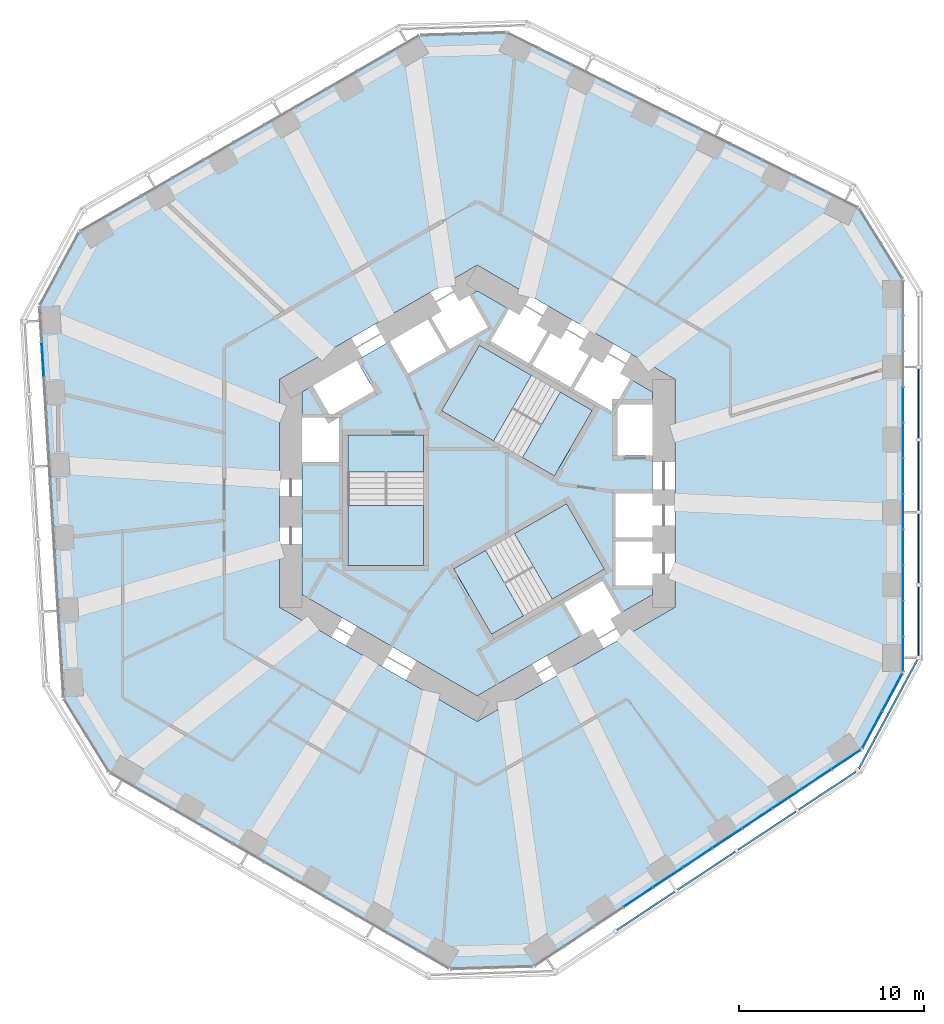
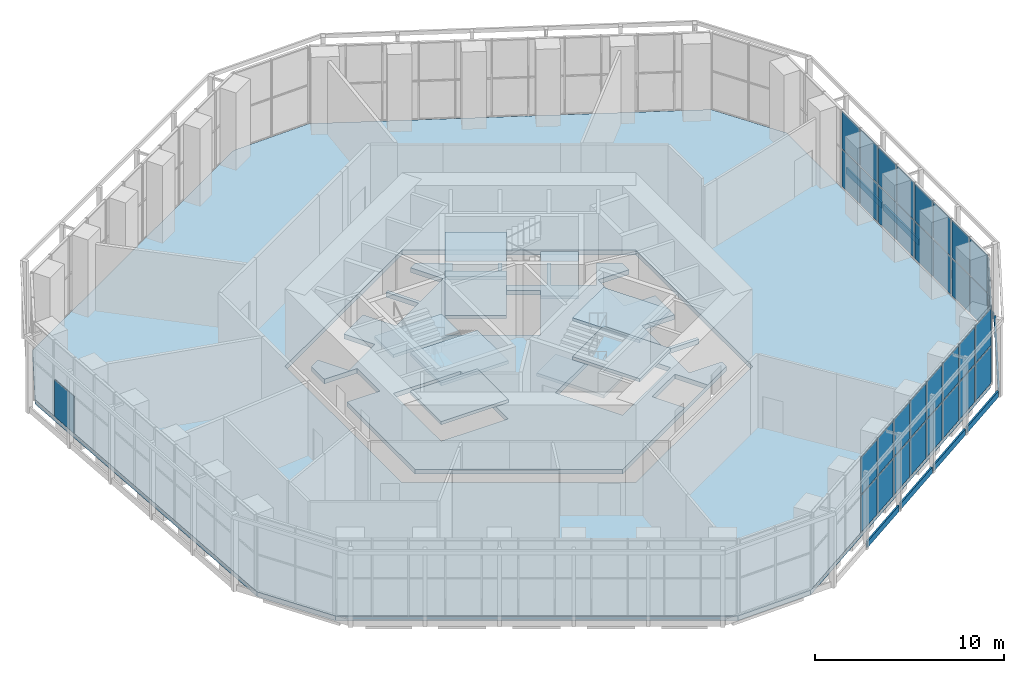
# One storey, part 11 of 19: 46 plates, 11 slabs, 10 elements without a shape of their own.
"""IFC4 building model written with IfcOpenShell, lengths in metres."""

from ifc_helpers import new_model, si_unit, direction, frame, origin, origin_2d, place, context, subcontext, project, spatial, polyline, rectangle, outline, extrude, material, layer, layer_set, type_object, element, aggregate, save


model = new_model("IFC4")

# Units and contexts
model_context = context("Model", 3, precision=1e-05, world=origin(), true_north=direction((0.0, 1.0)))
body_context = subcontext(model_context, "Body", "Model", "MODEL_VIEW")
ifc_project = project(units=[si_unit("LENGTHUNIT", "METRE"), si_unit("AREAUNIT", "SQUARE_METRE"), si_unit("VOLUMEUNIT", "CUBIC_METRE"), si_unit("PLANEANGLEUNIT", "RADIAN"), si_unit("MASSUNIT", "GRAM", prefix="KILO")], contexts=[model_context])

# Site, building, storey
site_placement = place(None, origin())
site = spatial("IfcSite", under=ifc_project, at=site_placement, CompositionType="ELEMENT")
building_placement = place(site_placement, origin())
building = spatial("IfcBuilding", under=site, at=building_placement, Name="Vanh Sen Convention Tower", CompositionType="ELEMENT")
storey_placement = place(building_placement, frame((0.0, 0.0, 39.0)))
storey = spatial("IfcBuildingStorey", under=building, at=storey_placement, Name="L06", CompositionType="ELEMENT", Elevation=39.0)

# Slabs
ifc_material_1 = material(Name="Concrete C40/50", Category="concrete")
ifc_layer_1 = layer(ifc_material_1, 0.300048828125)
ifc_layer_set_1 = layer_set([ifc_layer_1], Name="Concrete C40/50")
slab_type_1 = type_object("IfcSlabType", Name="Core slab 300", PredefinedType="FLOOR", material=ifc_layer_set_1)
slab_1_placement = place(storey_placement, frame((0.0, 0.0, -0.300048828125)))
element("IfcSlab", 1, at=slab_1_placement, inside=storey, type_object=slab_type_1, Name="Core slab L06", PredefinedType="FLOOR", context=body_context, shape_type="SweptSolid", body=[
    extrude(outline(polyline([(9.5, 5.48486328125), (9.5, 4.800048828125), (7.60009765625, 4.800048828125), (7.60009765625, 2.050048828125), (9.5, 2.050048828125), (9.5, 0.0), (7.5, 0.0), (7.5, -2.39990234375), (9.5, -2.39990234375), (9.5, -2.60009765625), (7.5, -2.60009765625), (7.5, -5.0), (9.5, -5.0), (9.5, -5.48486328125), (0.0, -10.9697265625), (-9.5, -5.48486328125), (-9.5, 1.699951171875), (-7.5, 1.699951171875), (-7.5, 4.10009765625), (-9.5, 4.10009765625), (-9.5, 5.48486328125), (-8.906982421875, 5.8271484375), (-7.956787109375, 4.181884765625), (-5.575439453125, 5.556884765625), (-6.525390625, 7.2021484375), (-4.75, 8.227294921875), (-3.75, 6.4951171875), (-1.67138671875, 7.6953125), (-2.67138671875, 9.42724609375), (-2.498291015625, 9.527099609375), (-1.498291015625, 7.795166015625), (0.580078125, 8.9951171875), (-0.419921875, 10.727294921875), (0.0, 10.9697265625), (1.718994140625, 9.977294921875), (0.718994140625, 8.2451171875), (2.79736328125, 7.045166015625), (3.79736328125, 8.777099609375), (3.970703125, 8.67724609375), (2.970703125, 6.9453125), (5.049072265625, 5.7451171875), (6.049072265625, 7.477294921875), (6.22216796875, 7.377197265625), (5.22216796875, 5.645263671875), (7.30078125, 4.4453125), (8.30078125, 6.17724609375), (9.5, 5.48486328125)]), holes=[polyline([(-7.0, 3.14990234375), (-7.0, -3.909912109375), (-2.89990234375, -3.909912109375), (-2.89990234375, 3.14990234375), (-2.89990234375, 1.1494140625), (-7.0, 1.1494140625), (-7.0, 3.14990234375)]), polyline([(4.495361328125, 5.487548828125), (6.22802734375, 4.4873046875), (0.11376953125, 8.01708984375), (-1.936279296875, 4.466552734375), (2.4453125, 1.936767578125), (4.495361328125, 5.487548828125)]), polyline([(7.781005859375, -6.477294921875), (6.781005859375, -4.7451171875), (4.70263671875, -5.9453125), (5.70263671875, -7.67724609375), (7.781005859375, -6.477294921875)]), polyline([(0.45458984375, -3.086181640625), (2.504638671875, -6.63671875), (6.88623046875, -4.107177734375), (4.836181640625, -0.556396484375), (-1.278076171875, -4.08642578125), (0.45458984375, -3.086181640625)])]), origin(), (0.0, 0.0, 1.0), 0.300048828125),
])
ifc_layer_2 = layer(ifc_material_1, 0.300048828125)
ifc_layer_set_2 = layer_set([ifc_layer_2], Name="Concrete C40/50")
slab_type_2 = type_object("IfcSlabType", Name="Floor slab 300 REI 120", PredefinedType="FLOOR", material=ifc_layer_set_2)
slab_2_placement = place(storey_placement, frame((0.0, 0.0, -0.300048828125)))
element("IfcSlab", 2, at=slab_2_placement, inside=storey, type_object=slab_type_2, Name="Floor slab L06 tower", PredefinedType="FLOOR", context=body_context, shape_type="SweptSolid", body=[
    extrude(outline(polyline([(23.0, -9.69921875), (23.0, 11.57373046875), (20.620361328125, 15.419189453125), (1.58251953125, 24.911376953125), (-3.10009765625, 24.768310546875), (-21.523193359375, 14.131591796875), (-23.663818359375, 10.14794921875), (-22.364990234375, -11.085205078125), (-19.89990234375, -15.069091796875), (-1.476806640625, -25.705322265625), (3.04345703125, -25.5673828125), (20.78271484375, -13.825927734375), (23.0, -9.69921875)]), holes=[polyline([(0.0, 12.355224609375), (-10.699951171875, 6.177490234375), (-10.699951171875, -6.177490234375), (0.0, -12.355224609375), (10.699951171875, -6.177490234375), (10.699951171875, 6.177490234375), (0.0, 12.355224609375)])]), origin(), (0.0, 0.0, 1.0), 0.300048828125),
])

# Curtain wall, plates
ifc_material_2 = material(Name="Aluminium structural glazing system", Category="aluminium")
curtain_wall_type_1 = type_object("IfcCurtainWallType", Name="Hotel lobby structural glazing", PredefinedType="NOTDEFINED", material=ifc_material_2)
curtain_wall_1_placement = place(storey_placement, origin())
curtain_wall_1 = element("IfcCurtainWall", 3, at=curtain_wall_1_placement, inside=storey, type_object=curtain_wall_type_1, Name="Hotel lobby glazing E L06", PredefinedType="NOTDEFINED")
ifc_material_3 = material(Name="Clear toughened safety glass", Category="glass")
ifc_layer_3 = layer(ifc_material_3, 0.035888671875)
ifc_layer_set_3 = layer_set([ifc_layer_3], Name="Clear toughened safety glass")
plate_type_1 = type_object("IfcPlateType", Name="Lobby glazing clear glass panel 36", PredefinedType="CURTAIN_PANEL", material=ifc_layer_set_3)
plate_1_placement = place(storey_placement, frame((23.050048828125, -8.703369140625, 0.070068359375), z_axis=(0.0, 0.0, 1.0), x_axis=(0.0, 1.0, 0.0)))
plate_1 = element("IfcPlate", 4, at=plate_1_placement, type_object=plate_type_1, Name="CW2 panel 1.1", PredefinedType="CURTAIN_PANEL", context=body_context, shape_type="SweptSolid", body=[
    extrude(rectangle(XDim=1.826416015625, YDim=0.035888671875, at=origin_2d()), origin(), (0.0, 0.0, 1.0), 2.39501953125),
])
plate_2_placement = place(storey_placement, frame((23.050048828125, -8.703369140625, 2.534912109375), z_axis=(0.0, 0.0, 1.0), x_axis=(0.0, 1.0, 0.0)))
plate_2 = element("IfcPlate", 5, at=plate_2_placement, type_object=plate_type_1, Name="CW2 panel 1.2", PredefinedType="CURTAIN_PANEL", context=body_context, shape_type="SweptSolid", body=[
    extrude(rectangle(XDim=1.826416015625, YDim=0.035888671875, at=origin_2d()), origin(), (0.0, 0.0, 1.0), 2.39501953125),
])
plate_3_placement = place(storey_placement, frame((23.050048828125, -6.789306640625, 0.070068359375), z_axis=(0.0, 0.0, 1.0), x_axis=(0.0, 1.0, 0.0)))
plate_3 = element("IfcPlate", 6, at=plate_3_placement, type_object=plate_type_1, Name="CW2 panel 2.1", PredefinedType="CURTAIN_PANEL", context=body_context, shape_type="SweptSolid", body=[
    extrude(rectangle(XDim=1.861572265625, YDim=0.035888671875, at=origin_2d()), origin(), (0.0, 0.0, 1.0), 2.39501953125),
])
plate_4_placement = place(storey_placement, frame((23.050048828125, -6.789306640625, 2.534912109375), z_axis=(0.0, 0.0, 1.0), x_axis=(0.0, 1.0, 0.0)))
plate_4 = element("IfcPlate", 7, at=plate_4_placement, type_object=plate_type_1, Name="CW2 panel 2.2", PredefinedType="CURTAIN_PANEL", context=body_context, shape_type="SweptSolid", body=[
    extrude(rectangle(XDim=1.861572265625, YDim=0.035888671875, at=origin_2d()), origin(), (0.0, 0.0, 1.0), 2.39501953125),
])
plate_5_placement = place(storey_placement, frame((23.050048828125, -4.85791015625, 0.070068359375), z_axis=(0.0, 0.0, 1.0), x_axis=(0.0, 1.0, 0.0)))
plate_5 = element("IfcPlate", 8, at=plate_5_placement, type_object=plate_type_1, Name="CW2 panel 3.1", PredefinedType="CURTAIN_PANEL", context=body_context, shape_type="SweptSolid", body=[
    extrude(rectangle(XDim=1.861572265625, YDim=0.035888671875, at=origin_2d()), origin(), (0.0, 0.0, 1.0), 2.39501953125),
])
plate_6_placement = place(storey_placement, frame((23.050048828125, -4.85791015625, 2.534912109375), z_axis=(0.0, 0.0, 1.0), x_axis=(0.0, 1.0, 0.0)))
plate_6 = element("IfcPlate", 9, at=plate_6_placement, type_object=plate_type_1, Name="CW2 panel 3.2", PredefinedType="CURTAIN_PANEL", context=body_context, shape_type="SweptSolid", body=[
    extrude(rectangle(XDim=1.861572265625, YDim=0.035888671875, at=origin_2d()), origin(), (0.0, 0.0, 1.0), 2.39501953125),
])
plate_7_placement = place(storey_placement, frame((23.050048828125, -2.926513671875, 0.070068359375), z_axis=(0.0, 0.0, 1.0), x_axis=(0.0, 1.0, 0.0)))
plate_7 = element("IfcPlate", 10, at=plate_7_placement, type_object=plate_type_1, Name="CW2 panel 4.1", PredefinedType="CURTAIN_PANEL", context=body_context, shape_type="SweptSolid", body=[
    extrude(rectangle(XDim=1.861572265625, YDim=0.035888671875, at=origin_2d()), origin(), (0.0, 0.0, 1.0), 2.39501953125),
])
plate_8_placement = place(storey_placement, frame((23.050048828125, -2.926513671875, 2.534912109375), z_axis=(0.0, 0.0, 1.0), x_axis=(0.0, 1.0, 0.0)))
plate_8 = element("IfcPlate", 11, at=plate_8_placement, type_object=plate_type_1, Name="CW2 panel 4.2", PredefinedType="CURTAIN_PANEL", context=body_context, shape_type="SweptSolid", body=[
    extrude(rectangle(XDim=1.861572265625, YDim=0.035888671875, at=origin_2d()), origin(), (0.0, 0.0, 1.0), 2.39501953125),
])
plate_9_placement = place(storey_placement, frame((23.050048828125, -0.9951171875, 0.070068359375), z_axis=(0.0, 0.0, 1.0), x_axis=(0.0, 1.0, 0.0)))
plate_9 = element("IfcPlate", 12, at=plate_9_placement, type_object=plate_type_1, Name="CW2 panel 5.1", PredefinedType="CURTAIN_PANEL", context=body_context, shape_type="SweptSolid", body=[
    extrude(rectangle(XDim=1.861572265625, YDim=0.035888671875, at=origin_2d()), origin(), (0.0, 0.0, 1.0), 2.39501953125),
])
plate_10_placement = place(storey_placement, frame((23.050048828125, -0.9951171875, 2.534912109375), z_axis=(0.0, 0.0, 1.0), x_axis=(0.0, 1.0, 0.0)))
plate_10 = element("IfcPlate", 13, at=plate_10_placement, type_object=plate_type_1, Name="CW2 panel 5.2", PredefinedType="CURTAIN_PANEL", context=body_context, shape_type="SweptSolid", body=[
    extrude(rectangle(XDim=1.861572265625, YDim=0.035888671875, at=origin_2d()), origin(), (0.0, 0.0, 1.0), 2.39501953125),
])
plate_11_placement = place(storey_placement, frame((23.050048828125, 0.9365234375, 0.070068359375), z_axis=(0.0, 0.0, 1.0), x_axis=(0.0, 1.0, 0.0)))
plate_11 = element("IfcPlate", 14, at=plate_11_placement, type_object=plate_type_1, Name="CW2 panel 6.1", PredefinedType="CURTAIN_PANEL", context=body_context, shape_type="SweptSolid", body=[
    extrude(rectangle(XDim=1.861572265625, YDim=0.035888671875, at=origin_2d()), origin(), (0.0, 0.0, 1.0), 2.39501953125),
])
plate_12_placement = place(storey_placement, frame((23.050048828125, 0.9365234375, 2.534912109375), z_axis=(0.0, 0.0, 1.0), x_axis=(0.0, 1.0, 0.0)))
plate_12 = element("IfcPlate", 15, at=plate_12_placement, type_object=plate_type_1, Name="CW2 panel 6.2", PredefinedType="CURTAIN_PANEL", context=body_context, shape_type="SweptSolid", body=[
    extrude(rectangle(XDim=1.861572265625, YDim=0.035888671875, at=origin_2d()), origin(), (0.0, 0.0, 1.0), 2.39501953125),
])
plate_13_placement = place(storey_placement, frame((23.050048828125, 2.867919921875, 0.070068359375), z_axis=(0.0, 0.0, 1.0), x_axis=(0.0, 1.0, 0.0)))
plate_13 = element("IfcPlate", 16, at=plate_13_placement, type_object=plate_type_1, Name="CW2 panel 7.1", PredefinedType="CURTAIN_PANEL", context=body_context, shape_type="SweptSolid", body=[
    extrude(rectangle(XDim=1.861572265625, YDim=0.035888671875, at=origin_2d()), origin(), (0.0, 0.0, 1.0), 2.39501953125),
])
plate_14_placement = place(storey_placement, frame((23.050048828125, 2.867919921875, 2.534912109375), z_axis=(0.0, 0.0, 1.0), x_axis=(0.0, 1.0, 0.0)))
plate_14 = element("IfcPlate", 17, at=plate_14_placement, type_object=plate_type_1, Name="CW2 panel 7.2", PredefinedType="CURTAIN_PANEL", context=body_context, shape_type="SweptSolid", body=[
    extrude(rectangle(XDim=1.861572265625, YDim=0.035888671875, at=origin_2d()), origin(), (0.0, 0.0, 1.0), 2.39501953125),
])
plate_15_placement = place(storey_placement, frame((23.050048828125, 4.79931640625, 0.070068359375), z_axis=(0.0, 0.0, 1.0), x_axis=(0.0, 1.0, 0.0)))
plate_15 = element("IfcPlate", 18, at=plate_15_placement, type_object=plate_type_1, Name="CW2 panel 8.1", PredefinedType="CURTAIN_PANEL", context=body_context, shape_type="SweptSolid", body=[
    extrude(rectangle(XDim=1.861572265625, YDim=0.035888671875, at=origin_2d()), origin(), (0.0, 0.0, 1.0), 2.39501953125),
])
plate_16_placement = place(storey_placement, frame((23.050048828125, 4.79931640625, 2.534912109375), z_axis=(0.0, 0.0, 1.0), x_axis=(0.0, 1.0, 0.0)))
plate_16 = element("IfcPlate", 19, at=plate_16_placement, type_object=plate_type_1, Name="CW2 panel 8.2", PredefinedType="CURTAIN_PANEL", context=body_context, shape_type="SweptSolid", body=[
    extrude(rectangle(XDim=1.861572265625, YDim=0.035888671875, at=origin_2d()), origin(), (0.0, 0.0, 1.0), 2.39501953125),
])
aggregate(curtain_wall_1, [plate_1, plate_2, plate_3, plate_4, plate_5, plate_6, plate_7, plate_8, plate_9, plate_10, plate_11, plate_12, plate_13, plate_14, plate_15, plate_16])

# Curtain wall, plate
curtain_wall_2_placement = place(storey_placement, origin())
curtain_wall_2 = element("IfcCurtainWall", 20, at=curtain_wall_2_placement, inside=storey, type_object=curtain_wall_type_1, Name="Hotel lobby glazing W L06", PredefinedType="NOTDEFINED")
plate_17_placement = place(storey_placement, frame((-23.535888671875, 7.239013671875, 0.070068359375), z_axis=(0.0, 0.0, 1.0), x_axis=(0.06104613772, -0.99813494532, 0.0)))
plate_17 = element("IfcPlate", 21, at=plate_17_placement, type_object=plate_type_1, Name="CW2 panel 2.1", PredefinedType="CURTAIN_PANEL", context=body_context, shape_type="SweptSolid", body=[
    extrude(rectangle(XDim=1.861572265625, YDim=0.035888671875, at=origin_2d()), origin(), (0.0, 0.0, 1.0), 2.39501953125),
])
aggregate(curtain_wall_2, [plate_17])

# Curtain wall, plates
curtain_wall_3_placement = place(storey_placement, origin())
curtain_wall_3 = element("IfcCurtainWall", 22, at=curtain_wall_3_placement, inside=storey, type_object=curtain_wall_type_1, Name="Hotel lobby glazing SE L06", PredefinedType="NOTDEFINED")
plate_18_placement = place(storey_placement, frame((8.719970703125, -21.869873046875, 0.070068359375), z_axis=(0.0, 0.0, 1.0), x_axis=(0.833885694486, 0.551937178066, 0.0)))
plate_18 = element("IfcPlate", 23, at=plate_18_placement, type_object=plate_type_1, Name="CW2 panel 4.1", PredefinedType="CURTAIN_PANEL", context=body_context, shape_type="SweptSolid", body=[
    extrude(rectangle(XDim=1.861572265625, YDim=0.035888671875, at=origin_2d()), origin(), (0.0, 0.0, 1.0), 2.39501953125),
])
plate_19_placement = place(storey_placement, frame((8.719970703125, -21.869873046875, 2.534912109375), z_axis=(0.0, 0.0, 1.0), x_axis=(0.833885694486, 0.551937178066, 0.0)))
plate_19 = element("IfcPlate", 24, at=plate_19_placement, type_object=plate_type_1, Name="CW2 panel 4.2", PredefinedType="CURTAIN_PANEL", context=body_context, shape_type="SweptSolid", body=[
    extrude(rectangle(XDim=1.861572265625, YDim=0.035888671875, at=origin_2d()), origin(), (0.0, 0.0, 1.0), 2.39501953125),
])
plate_20_placement = place(storey_placement, frame((10.33056640625, -20.803955078125, 0.070068359375), z_axis=(0.0, 0.0, 1.0), x_axis=(0.833885694486, 0.551937178066, 0.0)))
plate_20 = element("IfcPlate", 25, at=plate_20_placement, type_object=plate_type_1, Name="CW2 panel 5.1", PredefinedType="CURTAIN_PANEL", context=body_context, shape_type="SweptSolid", body=[
    extrude(rectangle(XDim=1.861572265625, YDim=0.035888671875, at=origin_2d()), origin(), (0.0, 0.0, 1.0), 2.39501953125),
])
plate_21_placement = place(storey_placement, frame((10.33056640625, -20.803955078125, 2.534912109375), z_axis=(0.0, 0.0, 1.0), x_axis=(0.833885694486, 0.551937178066, 0.0)))
plate_21 = element("IfcPlate", 26, at=plate_21_placement, type_object=plate_type_1, Name="CW2 panel 5.2", PredefinedType="CURTAIN_PANEL", context=body_context, shape_type="SweptSolid", body=[
    extrude(rectangle(XDim=1.861572265625, YDim=0.035888671875, at=origin_2d()), origin(), (0.0, 0.0, 1.0), 2.39501953125),
])
plate_22_placement = place(storey_placement, frame((11.94140625, -19.73779296875, 0.070068359375), z_axis=(0.0, 0.0, 1.0), x_axis=(0.833885694486, 0.551937178066, 0.0)))
plate_22 = element("IfcPlate", 27, at=plate_22_placement, type_object=plate_type_1, Name="CW2 panel 6.1", PredefinedType="CURTAIN_PANEL", context=body_context, shape_type="SweptSolid", body=[
    extrude(rectangle(XDim=1.861572265625, YDim=0.035888671875, at=origin_2d()), origin(), (0.0, 0.0, 1.0), 2.39501953125),
])
plate_23_placement = place(storey_placement, frame((11.94140625, -19.73779296875, 2.534912109375), z_axis=(0.0, 0.0, 1.0), x_axis=(0.833885694486, 0.551937178066, 0.0)))
plate_23 = element("IfcPlate", 28, at=plate_23_placement, type_object=plate_type_1, Name="CW2 panel 6.2", PredefinedType="CURTAIN_PANEL", context=body_context, shape_type="SweptSolid", body=[
    extrude(rectangle(XDim=1.861572265625, YDim=0.035888671875, at=origin_2d()), origin(), (0.0, 0.0, 1.0), 2.39501953125),
])
plate_24_placement = place(storey_placement, frame((13.552001953125, -18.671875, 0.070068359375), z_axis=(0.0, 0.0, 1.0), x_axis=(0.833885694486, 0.551937178066, 0.0)))
plate_24 = element("IfcPlate", 29, at=plate_24_placement, type_object=plate_type_1, Name="CW2 panel 7.1", PredefinedType="CURTAIN_PANEL", context=body_context, shape_type="SweptSolid", body=[
    extrude(rectangle(XDim=1.861572265625, YDim=0.035888671875, at=origin_2d()), origin(), (0.0, 0.0, 1.0), 2.39501953125),
])
plate_25_placement = place(storey_placement, frame((13.552001953125, -18.671875, 2.534912109375), z_axis=(0.0, 0.0, 1.0), x_axis=(0.833885694486, 0.551937178066, 0.0)))
plate_25 = element("IfcPlate", 30, at=plate_25_placement, type_object=plate_type_1, Name="CW2 panel 7.2", PredefinedType="CURTAIN_PANEL", context=body_context, shape_type="SweptSolid", body=[
    extrude(rectangle(XDim=1.861572265625, YDim=0.035888671875, at=origin_2d()), origin(), (0.0, 0.0, 1.0), 2.39501953125),
])
plate_26_placement = place(storey_placement, frame((15.16259765625, -17.605712890625, 0.070068359375), z_axis=(0.0, 0.0, 1.0), x_axis=(0.833885694486, 0.551937178066, 0.0)))
plate_26 = element("IfcPlate", 31, at=plate_26_placement, type_object=plate_type_1, Name="CW2 panel 8.1", PredefinedType="CURTAIN_PANEL", context=body_context, shape_type="SweptSolid", body=[
    extrude(rectangle(XDim=1.861572265625, YDim=0.035888671875, at=origin_2d()), origin(), (0.0, 0.0, 1.0), 2.39501953125),
])
plate_27_placement = place(storey_placement, frame((15.16259765625, -17.605712890625, 2.534912109375), z_axis=(0.0, 0.0, 1.0), x_axis=(0.833885694486, 0.551937178066, 0.0)))
plate_27 = element("IfcPlate", 32, at=plate_27_placement, type_object=plate_type_1, Name="CW2 panel 8.2", PredefinedType="CURTAIN_PANEL", context=body_context, shape_type="SweptSolid", body=[
    extrude(rectangle(XDim=1.861572265625, YDim=0.035888671875, at=origin_2d()), origin(), (0.0, 0.0, 1.0), 2.39501953125),
])
plate_28_placement = place(storey_placement, frame((16.773193359375, -16.539794921875, 0.070068359375), z_axis=(0.0, 0.0, 1.0), x_axis=(0.833885694486, 0.551937178066, 0.0)))
plate_28 = element("IfcPlate", 33, at=plate_28_placement, type_object=plate_type_1, Name="CW2 panel 9.1", PredefinedType="CURTAIN_PANEL", context=body_context, shape_type="SweptSolid", body=[
    extrude(rectangle(XDim=1.861572265625, YDim=0.035888671875, at=origin_2d()), origin(), (0.0, 0.0, 1.0), 2.39501953125),
])
plate_29_placement = place(storey_placement, frame((16.773193359375, -16.539794921875, 2.534912109375), z_axis=(0.0, 0.0, 1.0), x_axis=(0.833885694486, 0.551937178066, 0.0)))
plate_29 = element("IfcPlate", 34, at=plate_29_placement, type_object=plate_type_1, Name="CW2 panel 9.2", PredefinedType="CURTAIN_PANEL", context=body_context, shape_type="SweptSolid", body=[
    extrude(rectangle(XDim=1.861572265625, YDim=0.035888671875, at=origin_2d()), origin(), (0.0, 0.0, 1.0), 2.39501953125),
])
plate_30_placement = place(storey_placement, frame((18.3837890625, -15.4736328125, 0.070068359375), z_axis=(0.0, 0.0, 1.0), x_axis=(0.833885694486, 0.551937178066, 0.0)))
plate_30 = element("IfcPlate", 35, at=plate_30_placement, type_object=plate_type_1, Name="CW2 panel 10.1", PredefinedType="CURTAIN_PANEL", context=body_context, shape_type="SweptSolid", body=[
    extrude(rectangle(XDim=1.861572265625, YDim=0.035888671875, at=origin_2d()), origin(), (0.0, 0.0, 1.0), 2.39501953125),
])
plate_31_placement = place(storey_placement, frame((18.3837890625, -15.4736328125, 2.534912109375), z_axis=(0.0, 0.0, 1.0), x_axis=(0.833885694486, 0.551937178066, 0.0)))
plate_31 = element("IfcPlate", 36, at=plate_31_placement, type_object=plate_type_1, Name="CW2 panel 10.2", PredefinedType="CURTAIN_PANEL", context=body_context, shape_type="SweptSolid", body=[
    extrude(rectangle(XDim=1.861572265625, YDim=0.035888671875, at=origin_2d()), origin(), (0.0, 0.0, 1.0), 2.39501953125),
])
plate_32_placement = place(storey_placement, frame((19.979736328125, -14.417236328125, 0.070068359375), z_axis=(0.0, 0.0, 1.0), x_axis=(0.833885694486, 0.551937178066, 0.0)))
plate_32 = element("IfcPlate", 37, at=plate_32_placement, type_object=plate_type_1, Name="CW2 panel 11.1", PredefinedType="CURTAIN_PANEL", context=body_context, shape_type="SweptSolid", body=[
    extrude(rectangle(XDim=1.826416015625, YDim=0.035888671875, at=origin_2d()), origin(), (0.0, 0.0, 1.0), 2.39501953125),
])
plate_33_placement = place(storey_placement, frame((19.979736328125, -14.417236328125, 2.534912109375), z_axis=(0.0, 0.0, 1.0), x_axis=(0.833885694486, 0.551937178066, 0.0)))
plate_33 = element("IfcPlate", 38, at=plate_33_placement, type_object=plate_type_1, Name="CW2 panel 11.2", PredefinedType="CURTAIN_PANEL", context=body_context, shape_type="SweptSolid", body=[
    extrude(rectangle(XDim=1.826416015625, YDim=0.035888671875, at=origin_2d()), origin(), (0.0, 0.0, 1.0), 2.39501953125),
])
aggregate(curtain_wall_3, [plate_18, plate_19, plate_20, plate_21, plate_22, plate_23, plate_24, plate_25, plate_26, plate_27, plate_28, plate_29, plate_30, plate_31, plate_32, plate_33])

curtain_wall_4_placement = place(storey_placement, origin())
curtain_wall_4 = element("IfcCurtainWall", 39, at=curtain_wall_4_placement, inside=storey, type_object=curtain_wall_type_1, Name="Hotel lobby glazing CH6 L06", PredefinedType="NOTDEFINED")
plate_34_placement = place(storey_placement, frame((21.392333984375, -12.797119140625, 0.070068359375), z_axis=(0.0, 0.0, 1.0), x_axis=(0.473313860708, 0.880893858113, 0.0)))
plate_34 = element("IfcPlate", 40, at=plate_34_placement, type_object=plate_type_1, Name="CW2 panel 1.1", PredefinedType="CURTAIN_PANEL", context=body_context, shape_type="SweptSolid", body=[
    extrude(rectangle(XDim=2.224853515625, YDim=0.035888671875, at=origin_2d()), origin(), (0.0, 0.0, 1.0), 2.39501953125),
])
plate_35_placement = place(storey_placement, frame((21.392333984375, -12.797119140625, 2.534912109375), z_axis=(0.0, 0.0, 1.0), x_axis=(0.473313860708, 0.880893858113, 0.0)))
plate_35 = element("IfcPlate", 41, at=plate_35_placement, type_object=plate_type_1, Name="CW2 panel 1.2", PredefinedType="CURTAIN_PANEL", context=body_context, shape_type="SweptSolid", body=[
    extrude(rectangle(XDim=2.224853515625, YDim=0.035888671875, at=origin_2d()), origin(), (0.0, 0.0, 1.0), 2.39501953125),
])
plate_36_placement = place(storey_placement, frame((22.478515625, -10.775390625, 0.070068359375), z_axis=(0.0, 0.0, 1.0), x_axis=(0.473313860708, 0.880893858113, 0.0)))
plate_36 = element("IfcPlate", 42, at=plate_36_placement, type_object=plate_type_1, Name="CW2 panel 2.1", PredefinedType="CURTAIN_PANEL", context=body_context, shape_type="SweptSolid", body=[
    extrude(rectangle(XDim=2.224853515625, YDim=0.035888671875, at=origin_2d()), origin(), (0.0, 0.0, 1.0), 2.39501953125),
])
plate_37_placement = place(storey_placement, frame((22.478515625, -10.775390625, 2.534912109375), z_axis=(0.0, 0.0, 1.0), x_axis=(0.473313860708, 0.880893858113, 0.0)))
plate_37 = element("IfcPlate", 43, at=plate_37_placement, type_object=plate_type_1, Name="CW2 panel 2.2", PredefinedType="CURTAIN_PANEL", context=body_context, shape_type="SweptSolid", body=[
    extrude(rectangle(XDim=2.224853515625, YDim=0.035888671875, at=origin_2d()), origin(), (0.0, 0.0, 1.0), 2.39501953125),
])
aggregate(curtain_wall_4, [plate_34, plate_35, plate_36, plate_37])

ifc_material_4 = material(Name="Concrete C50/60", Category="concrete")
curtain_wall_type_2 = type_object("IfcCurtainWallType", Name="Outer skin hotel zone", PredefinedType="NOTDEFINED", material=ifc_material_4)
curtain_wall_5_placement = place(storey_placement, origin())
curtain_wall_5 = element("IfcCurtainWall", 44, at=curtain_wall_5_placement, inside=storey, type_object=curtain_wall_type_2, Name="OUTER SKIN E L06", PredefinedType="NOTDEFINED")
ifc_layer_4 = layer(ifc_material_4, 0.10009765625)
ifc_layer_set_4 = layer_set([ifc_layer_4], Name="Concrete C50/60")
plate_type_2 = type_object("IfcPlateType", Name="Outer skin precast screen panel 100", PredefinedType="CURTAIN_PANEL", material=ifc_layer_set_4)
plate_38_placement = place(storey_placement, frame((23.89990234375, -6.91943359375, 0.0), z_axis=(0.0, 0.0, 1.0), x_axis=(0.0, 1.0, 0.0)))
plate_38 = element("IfcPlate", 45, at=plate_38_placement, type_object=plate_type_2, Name="OUTER SKIN screen panel E-1", PredefinedType="CURTAIN_PANEL", context=body_context, shape_type="SweptSolid", body=[
    extrude(rectangle(XDim=3.709716796875, YDim=0.10009765625, at=origin_2d()), origin(), (0.0, 0.0, 1.0), 0.39990234375),
])
plate_39_placement = place(storey_placement, frame((23.89990234375, -2.997314453125, 0.0), z_axis=(0.0, 0.0, 1.0), x_axis=(0.0, 1.0, 0.0)))
plate_39 = element("IfcPlate", 46, at=plate_39_placement, type_object=plate_type_2, Name="OUTER SKIN screen panel E-2", PredefinedType="CURTAIN_PANEL", context=body_context, shape_type="SweptSolid", body=[
    extrude(rectangle(XDim=3.734619140625, YDim=0.10009765625, at=origin_2d()), origin(), (0.0, 0.0, 1.0), 0.39990234375),
])
plate_40_placement = place(storey_placement, frame((23.89990234375, 0.937255859375, 0.0), z_axis=(0.0, 0.0, 1.0), x_axis=(0.0, 1.0, 0.0)))
plate_40 = element("IfcPlate", 47, at=plate_40_placement, type_object=plate_type_2, Name="OUTER SKIN screen panel E-3", PredefinedType="CURTAIN_PANEL", context=body_context, shape_type="SweptSolid", body=[
    extrude(rectangle(XDim=3.734619140625, YDim=0.10009765625, at=origin_2d()), origin(), (0.0, 0.0, 1.0), 0.39990234375),
])
plate_41_placement = place(storey_placement, frame((23.89990234375, 4.871826171875, 0.0), z_axis=(0.0, 0.0, 1.0), x_axis=(0.0, 1.0, 0.0)))
plate_41 = element("IfcPlate", 48, at=plate_41_placement, type_object=plate_type_2, Name="OUTER SKIN screen panel E-4", PredefinedType="CURTAIN_PANEL", context=body_context, shape_type="SweptSolid", body=[
    extrude(rectangle(XDim=3.734619140625, YDim=0.10009765625, at=origin_2d()), origin(), (0.0, 0.0, 1.0), 0.39990234375),
])
aggregate(curtain_wall_5, [plate_38, plate_39, plate_40, plate_41])

curtain_wall_6_placement = place(storey_placement, origin())
curtain_wall_6 = element("IfcCurtainWall", 49, at=curtain_wall_6_placement, inside=storey, type_object=curtain_wall_type_2, Name="OUTER SKIN SE L06", PredefinedType="NOTDEFINED")
plate_42_placement = place(storey_placement, frame((9.128662109375, -22.618896484375, 0.0), z_axis=(0.0, 0.0, 1.0), x_axis=(0.833891601892, 0.55192825285, 0.0)))
plate_42 = element("IfcPlate", 50, at=plate_42_placement, type_object=plate_type_2, Name="OUTER SKIN screen panel SE-2", PredefinedType="CURTAIN_PANEL", context=body_context, shape_type="SweptSolid", body=[
    extrude(rectangle(XDim=3.734619140625, YDim=0.10009765625, at=origin_2d()), origin(), (0.0, 0.0, 1.0), 0.39990234375),
])
plate_43_placement = place(storey_placement, frame((12.40966796875, -20.447265625, 0.0), z_axis=(0.0, 0.0, 1.0), x_axis=(0.833880042151, 0.551945717714, 0.0)))
plate_43 = element("IfcPlate", 51, at=plate_43_placement, type_object=plate_type_2, Name="OUTER SKIN screen panel SE-3", PredefinedType="CURTAIN_PANEL", context=body_context, shape_type="SweptSolid", body=[
    extrude(rectangle(XDim=3.734619140625, YDim=0.10009765625, at=origin_2d()), origin(), (0.0, 0.0, 1.0), 0.39990234375),
])
plate_44_placement = place(storey_placement, frame((15.690673828125, -18.275390625, 0.0), z_axis=(0.0, 0.0, 1.0), x_axis=(0.833891601892, 0.55192825285, 0.0)))
plate_44 = element("IfcPlate", 52, at=plate_44_placement, type_object=plate_type_2, Name="OUTER SKIN screen panel SE-4", PredefinedType="CURTAIN_PANEL", context=body_context, shape_type="SweptSolid", body=[
    extrude(rectangle(XDim=3.734619140625, YDim=0.10009765625, at=origin_2d()), origin(), (0.0, 0.0, 1.0), 0.39990234375),
])
plate_45_placement = place(storey_placement, frame((18.961181640625, -16.11083984375, 0.0), z_axis=(0.0, 0.0, 1.0), x_axis=(0.833880042151, 0.551945717714, 0.0)))
plate_45 = element("IfcPlate", 53, at=plate_45_placement, type_object=plate_type_2, Name="OUTER SKIN screen panel SE-5", PredefinedType="CURTAIN_PANEL", context=body_context, shape_type="SweptSolid", body=[
    extrude(rectangle(XDim=3.709716796875, YDim=0.10009765625, at=origin_2d()), origin(), (0.0, 0.0, 1.0), 0.39990234375),
])
aggregate(curtain_wall_6, [plate_42, plate_43, plate_44, plate_45])

# Curtain wall, plate
curtain_wall_7_placement = place(storey_placement, origin())
curtain_wall_7 = element("IfcCurtainWall", 54, at=curtain_wall_7_placement, inside=storey, type_object=curtain_wall_type_2, Name="OUTER SKIN CH6 L06", PredefinedType="NOTDEFINED")
plate_46_placement = place(storey_placement, frame((22.256103515625, -11.95849609375, 0.0), z_axis=(0.0, 0.0, 1.0), x_axis=(0.473322742071, 0.880889086003, 0.0)))
plate_46 = element("IfcPlate", 55, at=plate_46_placement, type_object=plate_type_2, Name="OUTER SKIN screen panel CH6-1", PredefinedType="CURTAIN_PANEL", context=body_context, shape_type="SweptSolid", body=[
    extrude(rectangle(XDim=6.6962890625, YDim=0.10009765625, at=origin_2d()), origin(), (0.0, 0.0, 1.0), 0.39990234375),
])
aggregate(curtain_wall_7, [plate_46])

# Stair, slabs
ifc_material_5 = material(Name="Concrete C50/60", Category="concrete")
stair_type_1 = type_object("IfcStairType", Name="Exit stair ST1 28 risers at 178.6", PredefinedType="HALF_TURN_STAIR", material=ifc_material_5)
stair_1_placement = place(storey_placement, origin())
stair_1 = element("IfcStair", 56, at=stair_1_placement, inside=storey, type_object=stair_type_1, Name="Exit stair ST1 L06", PredefinedType="HALF_TURN_STAIR")
ifc_layer_5 = layer(ifc_material_1, 0.199951171875)
ifc_layer_set_5 = layer_set([ifc_layer_5], Name="Concrete C40/50")
slab_type_3 = type_object("IfcSlabType", Name="Stair landing 200", PredefinedType="LANDING", material=ifc_layer_set_5)
slab_3_placement = place(storey_placement, frame((0.0, 0.0, 1.050048828125)))
slab_3 = element("IfcSlab", 57, at=slab_3_placement, type_object=slab_type_3, Name="ST1 landing 1", PredefinedType="LANDING", context=body_context, shape_type="SweptSolid", body=[
    extrude(outline(polyline([(2.937744140625, 6.38671875), (0.11376953125, 8.01708984375), (-1.936279296875, 4.466552734375), (0.8876953125, 2.836181640625), (2.937744140625, 6.38671875)])), origin(), (0.0, 0.0, 1.0), 0.199951171875),
])
slab_4_placement = place(storey_placement, frame((0.0, 0.0, 2.300048828125)))
slab_4 = element("IfcSlab", 58, at=slab_4_placement, type_object=slab_type_3, Name="ST1 landing 2", PredefinedType="LANDING", context=body_context, shape_type="SweptSolid", body=[
    extrude(outline(polyline([(6.22802734375, 4.4873046875), (4.495361328125, 5.487548828125), (2.4453125, 1.936767578125), (4.177978515625, 0.9365234375), (6.22802734375, 4.4873046875)])), origin(), (0.0, 0.0, 1.0), 0.199951171875),
])
slab_5_placement = place(storey_placement, frame((0.0, 0.0, 3.550048828125)))
slab_5 = element("IfcSlab", 59, at=slab_5_placement, type_object=slab_type_3, Name="ST1 landing 3", PredefinedType="LANDING", context=body_context, shape_type="SweptSolid", body=[
    extrude(outline(polyline([(2.937744140625, 6.38671875), (0.11376953125, 8.01708984375), (-1.936279296875, 4.466552734375), (0.8876953125, 2.836181640625), (2.937744140625, 6.38671875)])), origin(), (0.0, 0.0, 1.0), 0.199951171875),
])
aggregate(stair_1, [slab_3, slab_4, slab_5])

stair_type_2 = type_object("IfcStairType", Name="Exit stair ST2 28 risers at 178.6", PredefinedType="HALF_TURN_STAIR", material=ifc_material_5)
stair_2_placement = place(storey_placement, origin())
stair_2 = element("IfcStair", 60, at=stair_2_placement, inside=storey, type_object=stair_type_2, Name="Exit stair ST2 L06", PredefinedType="HALF_TURN_STAIR")
slab_6_placement = place(storey_placement, frame((0.0, 0.0, 1.050048828125)))
slab_6 = element("IfcSlab", 61, at=slab_6_placement, type_object=slab_type_3, Name="ST2 landing 1", PredefinedType="LANDING", context=body_context, shape_type="SweptSolid", body=[
    extrude(outline(polyline([(-7.0, -0.6494140625), (-7.0, -3.909912109375), (-2.89990234375, -3.909912109375), (-2.89990234375, -0.6494140625), (-7.0, -0.6494140625)])), origin(), (0.0, 0.0, 1.0), 0.199951171875),
])
slab_7_placement = place(storey_placement, frame((0.0, 0.0, 2.300048828125)))
slab_7 = element("IfcSlab", 62, at=slab_7_placement, type_object=slab_type_3, Name="ST2 landing 2", PredefinedType="LANDING", context=body_context, shape_type="SweptSolid", body=[
    extrude(outline(polyline([(-7.0, 3.14990234375), (-7.0, 1.1494140625), (-2.89990234375, 1.1494140625), (-2.89990234375, 3.14990234375), (-7.0, 3.14990234375)])), origin(), (0.0, 0.0, 1.0), 0.199951171875),
])
slab_8_placement = place(storey_placement, frame((0.0, 0.0, 3.550048828125)))
slab_8 = element("IfcSlab", 63, at=slab_8_placement, type_object=slab_type_3, Name="ST2 landing 3", PredefinedType="LANDING", context=body_context, shape_type="SweptSolid", body=[
    extrude(outline(polyline([(-7.0, -0.6494140625), (-7.0, -3.909912109375), (-2.89990234375, -3.909912109375), (-2.89990234375, -0.6494140625), (-7.0, -0.6494140625)])), origin(), (0.0, 0.0, 1.0), 0.199951171875),
])
aggregate(stair_2, [slab_6, slab_7, slab_8])

stair_type_3 = type_object("IfcStairType", Name="Exit stair ST3 28 risers at 178.6", PredefinedType="HALF_TURN_STAIR", material=ifc_material_5)
stair_3_placement = place(storey_placement, origin())
stair_3 = element("IfcStair", 64, at=stair_3_placement, inside=storey, type_object=stair_type_3, Name="Exit stair ST3 L06", PredefinedType="HALF_TURN_STAIR")
slab_9_placement = place(storey_placement, frame((0.0, 0.0, 1.050048828125)))
slab_9 = element("IfcSlab", 65, at=slab_9_placement, type_object=slab_type_3, Name="ST3 landing 1", PredefinedType="LANDING", context=body_context, shape_type="SweptSolid", body=[
    extrude(outline(polyline([(4.062255859375, -5.737548828125), (6.88623046875, -4.107177734375), (4.836181640625, -0.556396484375), (2.01220703125, -2.186767578125), (4.062255859375, -5.737548828125)])), origin(), (0.0, 0.0, 1.0), 0.199951171875),
])
slab_10_placement = place(storey_placement, frame((0.0, 0.0, 2.300048828125)))
slab_10 = element("IfcSlab", 66, at=slab_10_placement, type_object=slab_type_3, Name="ST3 landing 2", PredefinedType="LANDING", context=body_context, shape_type="SweptSolid", body=[
    extrude(outline(polyline([(0.77197265625, -7.63720703125), (2.504638671875, -6.63671875), (0.45458984375, -3.086181640625), (-1.278076171875, -4.08642578125), (0.77197265625, -7.63720703125)])), origin(), (0.0, 0.0, 1.0), 0.199951171875),
])
slab_11_placement = place(storey_placement, frame((0.0, 0.0, 3.550048828125)))
slab_11 = element("IfcSlab", 67, at=slab_11_placement, type_object=slab_type_3, Name="ST3 landing 3", PredefinedType="LANDING", context=body_context, shape_type="SweptSolid", body=[
    extrude(outline(polyline([(4.062255859375, -5.737548828125), (6.88623046875, -4.107177734375), (4.836181640625, -0.556396484375), (2.01220703125, -2.186767578125), (4.062255859375, -5.737548828125)])), origin(), (0.0, 0.0, 1.0), 0.199951171875),
])
aggregate(stair_3, [slab_9, slab_10, slab_11])

save(model, "model.ifc")
